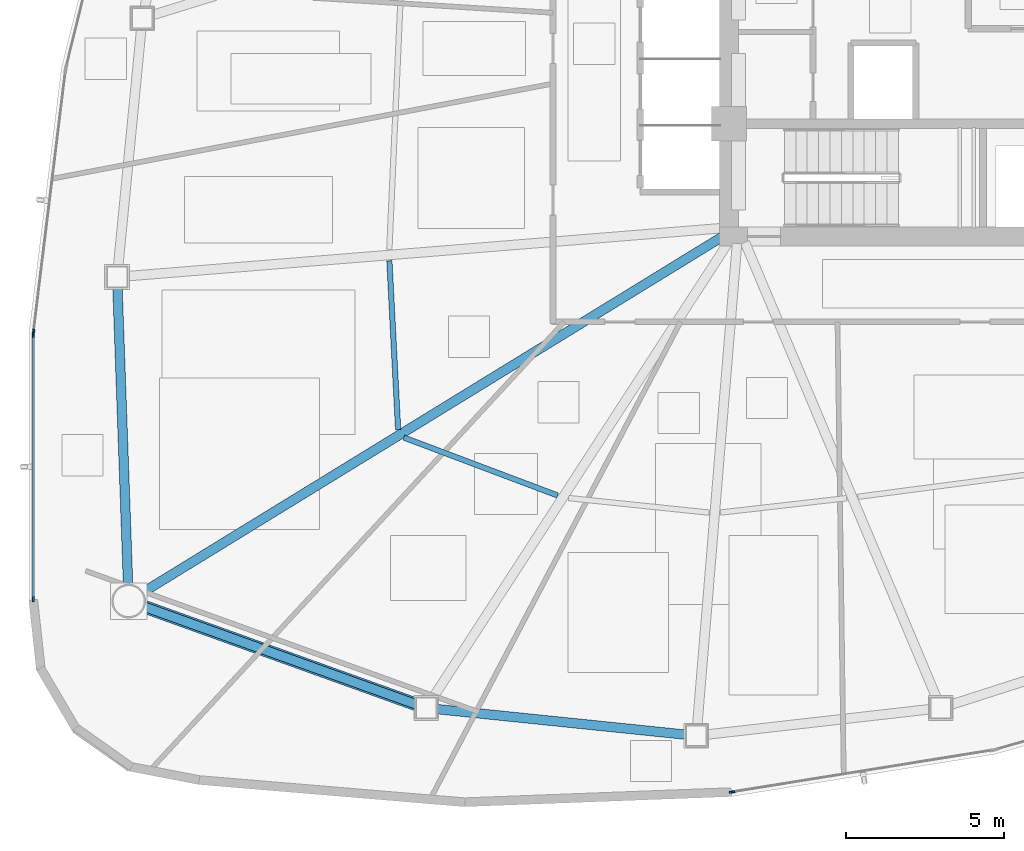
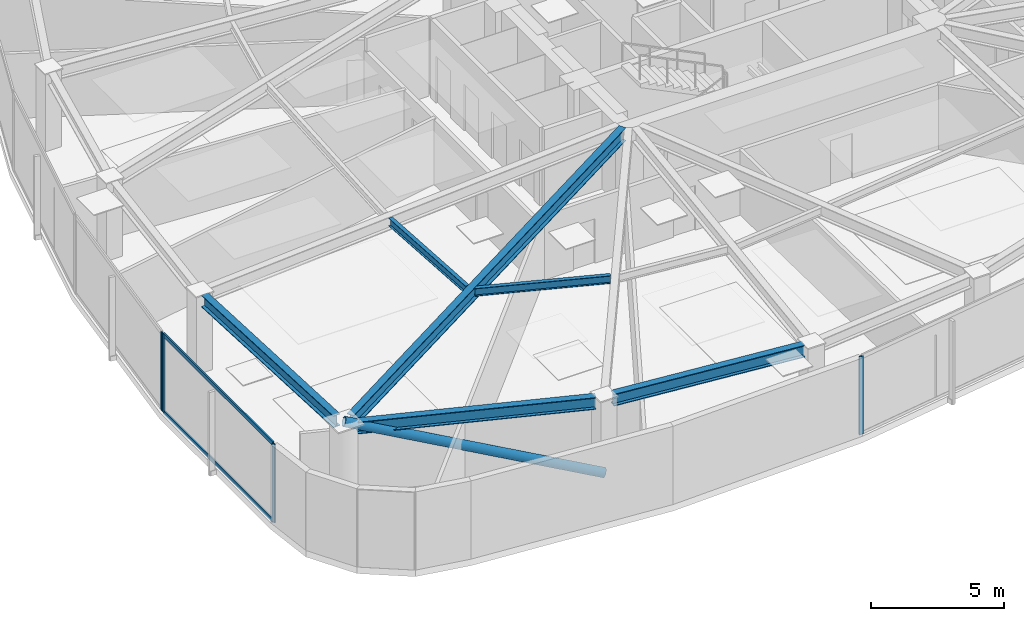
# One storey, part 2 of 17: 7 members, 6 beams, 3 elements without a shape of their own.
"""IFC4 building model written with IfcOpenShell, lengths in metres."""

from ifc_helpers import new_model, si_unit, direction, frame, origin, origin_2d, place, context, subcontext, project, spatial, hollow_rectangle, hollow_circle, i_section, extrude, source, transform, mapped, material, layer, layer_set, material_profile, profile_set, type_object, type_shapes, element, aggregate, save


model = new_model("IFC4")

# Units and contexts
model_context = context("Model", 3, precision=1e-05, world=origin(), true_north=direction((0.0, 1.0)))
body_context = subcontext(model_context, "Body", "Model", "MODEL_VIEW")
ifc_project = project(units=[si_unit("LENGTHUNIT", "METRE"), si_unit("AREAUNIT", "SQUARE_METRE"), si_unit("VOLUMEUNIT", "CUBIC_METRE"), si_unit("PLANEANGLEUNIT", "RADIAN"), si_unit("MASSUNIT", "GRAM", prefix="KILO")], contexts=[model_context])

# Site, building, storey
site_placement = place(None, origin())
site = spatial("IfcSite", under=ifc_project, at=site_placement, CompositionType="ELEMENT")
building_placement = place(site_placement, origin())
building = spatial("IfcBuilding", under=site, at=building_placement, Name="Tavelor Broadcast Tower", CompositionType="ELEMENT")
storey_placement = place(building_placement, frame((0.0, 0.0, 78.300048828125)))
storey = spatial("IfcBuildingStorey", under=building, at=storey_placement, Name="L18", CompositionType="ELEMENT", Elevation=78.300048828125)

# Beams
ifc_material_1 = material(Name="Steel S355", Category="steel")
ifc_material_profile_1 = material_profile(ifc_material_1, i_section(OverallWidth=0.169921875, OverallDepth=0.360107421875, WebThickness=0.008056640625, FlangeThickness=0.0126953125, at=origin_2d()), Name="IPE 360")
ifc_profile_set_1 = profile_set([ifc_material_profile_1], Name="Steel S355")
beam_type_1 = type_object("IfcBeamType", Name="Composite Floor Joist T2 IPE 360", PredefinedType="JOIST", material=ifc_profile_set_1)
beam_1_placement = place(storey_placement, frame((32.386474609375, 37.72900390625, 3.419921875), z_axis=(0.051611065527, -0.998667260861, 0.0), x_axis=(0.998667260861, 0.051611065527, 0.0)))
element("IfcBeam", 1, at=beam_1_placement, inside=storey, type_object=beam_type_1, Name="L18 Secondary Composite Floor Joist 06", PredefinedType="JOIST", context=body_context, shape_type="SweptSolid", body=[
    extrude(i_section(OverallWidth=0.169921875, OverallDepth=0.360107421875, WebThickness=0.008056640625, FlangeThickness=0.0126953125, at=origin_2d()), origin(), (0.0, 0.0, 1.0), 5.340576171875),
])
beam_2_placement = place(storey_placement, frame((32.8408203125, 32.15087890625, 3.419921875), z_axis=(0.935788002818, -0.352563205371, 0.0), x_axis=(0.352563205371, 0.935788002818, 0.0)))
element("IfcBeam", 2, at=beam_2_placement, inside=storey, type_object=beam_type_1, Name="L18 Secondary Composite Floor Joist 07", PredefinedType="JOIST", context=body_context, shape_type="SweptSolid", body=[
    extrude(i_section(OverallWidth=0.169921875, OverallDepth=0.360107421875, WebThickness=0.008056640625, FlangeThickness=0.0126953125, at=origin_2d()), origin(), (0.0, 0.0, 1.0), 5.18310546875),
])
ifc_material_profile_2 = material_profile(ifc_material_1, i_section(OverallWidth=0.300048828125, OverallDepth=0.550048828125, WebThickness=0.014892578125, FlangeThickness=0.029052734375, at=origin_2d()), Name="HEB 550")
ifc_profile_set_2 = profile_set([ifc_material_profile_2], Name="Steel S355")
beam_type_2 = type_object("IfcBeamType", Name="Perimeter Spandrel Beam T2 HEB 550", PredefinedType="SPANDREL", material=ifc_profile_set_2)
beam_3_placement = place(storey_placement, frame((23.806640625, 36.880615234375, 3.324951171875), z_axis=(0.035613586899, -0.999365635005, 0.0), x_axis=(0.999365635005, 0.035613586899, 0.0)))
element("IfcBeam", 3, at=beam_3_placement, inside=storey, type_object=beam_type_2, Name="L18 Framed-Tube Ring Spandrel 06", PredefinedType="SPANDREL", context=body_context, shape_type="SweptSolid", body=[
    extrude(i_section(OverallWidth=0.300048828125, OverallDepth=0.550048828125, WebThickness=0.014892578125, FlangeThickness=0.029052734375, at=origin_2d()), origin(), (0.0, 0.0, 1.0), 9.384765625),
])
beam_4_placement = place(storey_placement, frame((24.64111328125, 26.81640625, 3.324951171875), z_axis=(0.941105692238, -0.338112519789, 0.0), x_axis=(0.338112519789, 0.941105692238, 0.0)))
element("IfcBeam", 4, at=beam_4_placement, inside=storey, type_object=beam_type_2, Name="L18 Framed-Tube Ring Spandrel 07", PredefinedType="SPANDREL", context=body_context, shape_type="SweptSolid", body=[
    extrude(i_section(OverallWidth=0.300048828125, OverallDepth=0.550048828125, WebThickness=0.014892578125, FlangeThickness=0.029052734375, at=origin_2d()), origin(), (0.0, 0.0, 1.0), 9.13134765625),
])
beam_5_placement = place(storey_placement, frame((33.885009765625, 23.581298828125, 3.324951171875), z_axis=(0.994770407806, -0.102136358626, 0.0), x_axis=(0.102136358626, 0.994770407806, 0.0)))
element("IfcBeam", 5, at=beam_5_placement, inside=storey, type_object=beam_type_2, Name="L18 Framed-Tube Ring Spandrel 08", PredefinedType="SPANDREL", context=body_context, shape_type="SweptSolid", body=[
    extrude(i_section(OverallWidth=0.300048828125, OverallDepth=0.550048828125, WebThickness=0.014892578125, FlangeThickness=0.029052734375, at=origin_2d()), origin(), (0.0, 0.0, 1.0), 7.895263671875),
])

# Member
ifc_material_profile_3 = material_profile(ifc_material_1, hollow_circle(Radius=0.203125, WallThickness=0.02001953125, at=origin_2d()), Name="CHS 406.4x20")
ifc_profile_set_3 = profile_set([ifc_material_profile_3], Name="Steel S355")
member_type_1 = type_object("IfcMemberType", Name="Perimeter Tube Brace T2 CHS 406.4x20", PredefinedType="BRACE", material=ifc_profile_set_3)
member_1_placement = place(storey_placement, frame((33.55078125, 23.615478515625, 0.0), z_axis=(-0.885264543661, 0.31806283815, 0.339326861191), x_axis=(-0.338124247145, -0.941101478849, 0.0)))
element("IfcMember", 6, at=member_1_placement, inside=storey, type_object=member_type_1, Name="L18 Corner Tube Diagonal Brace 2", PredefinedType="BRACE", context=body_context, shape_type="SweptSolid", body=[
    extrude(hollow_circle(Radius=0.203125, WallThickness=0.02001953125, at=origin_2d()), origin(), (0.0, 0.0, 1.0), 10.60888671875),
])

# Beam
ifc_material_profile_4 = material_profile(ifc_material_1, i_section(OverallWidth=0.300048828125, OverallDepth=0.60009765625, WebThickness=0.015380859375, FlangeThickness=0.030029296875, at=origin_2d()), Name="HEB 600")
ifc_profile_set_4 = profile_set([ifc_material_profile_4], Name="Steel S355")
beam_type_3 = type_object("IfcBeamType", Name="Radial Floor Girder T2 HEB 600", PredefinedType="BEAM", material=ifc_profile_set_4)
beam_6_placement = place(storey_placement, frame((42.949951171875, 38.523681640625, 3.300048828125), z_axis=(-0.852254843795, -0.52312683092, 0.0), x_axis=(0.52312683092, -0.852254843795, 0.0)))
element("IfcBeam", 7, at=beam_6_placement, inside=storey, type_object=beam_type_3, Name="L18 Radial Primary Floor Girder 07", PredefinedType="BEAM", context=body_context, shape_type="SweptSolid", body=[
    extrude(i_section(OverallWidth=0.300048828125, OverallDepth=0.60009765625, WebThickness=0.015380859375, FlangeThickness=0.030029296875, at=origin_2d()), origin(), (0.0, 0.0, 1.0), 21.5361328125),
])

# Curtain wall, member
ifc_material_2 = material(Name="Architectural Anodized Aluminium", Category="aluminium")
ifc_layer = layer(ifc_material_2, 0.179931640625)
ifc_layer_set = layer_set([ifc_layer], Name="Architectural Anodized Aluminium")
curtain_wall_type = type_object("IfcCurtainWallType", Name="Tower Low-Zone Unitised Curtain Wall CW02", PredefinedType="NOTDEFINED", material=ifc_layer_set)
curtain_wall_1_placement = place(storey_placement, origin())
curtain_wall_1 = element("IfcCurtainWall", 8, at=curtain_wall_1_placement, inside=storey, type_object=curtain_wall_type, Name="L18 Curtain Wall CW02 Run 171", PredefinedType="NOTDEFINED")
ifc_material_profile_5 = material_profile(ifc_material_2, hollow_rectangle(XDim=0.06494140625, YDim=0.179931640625, WallThickness=0.02197265625, at=origin_2d()), Name="RHS 65x180x22")
ifc_profile_set_5 = profile_set([ifc_material_profile_5], Name="Architectural Anodized Aluminium")
member_type_2 = type_object("IfcMemberType", Name="CW02 Extruded Aluminium Mullion 65x180", PredefinedType="MULLION", material=ifc_profile_set_5)
shared_shape_1 = source(origin(), body_context, "Body", "SweptSolid", [
    extrude(hollow_rectangle(XDim=0.06494140625, YDim=0.179931640625, WallThickness=0.02197265625, at=origin_2d()), origin(), (0.0, 0.0, 1.0), 3.599853515625),
])
type_shapes(member_type_2, [shared_shape_1])
member_2_placement = place(storey_placement, frame((21.157958984375, 35.484619140625, 0.0), z_axis=(0.0, 0.0, 1.0), x_axis=(0.992601033639, -0.12142153029, 0.0)))
member_2 = element("IfcMember", 9, at=member_2_placement, type_object=member_type_2, Name="CW02 mullion 2", PredefinedType="MULLION", context=body_context, shape_type="MappedRepresentation", body=[
    mapped(shared_shape_1, transform((0.0, 0.0, 0.0), scale=1.0)),
])
aggregate(curtain_wall_1, [member_2])

# Curtain wall, members
curtain_wall_2_placement = place(storey_placement, origin())
curtain_wall_2 = element("IfcCurtainWall", 10, at=curtain_wall_2_placement, inside=storey, type_object=curtain_wall_type, Name="L18 Curtain Wall CW02 Run 172", PredefinedType="NOTDEFINED")
member_3_placement = place(storey_placement, frame((21.152099609375, 35.389892578125, 0.0), z_axis=(0.0, 0.0, 1.0), x_axis=(0.999999918098, -0.000404728142, 0.0)))
member_3 = element("IfcMember", 11, at=member_3_placement, type_object=member_type_2, Name="CW02 mullion 1", PredefinedType="MULLION", context=body_context, shape_type="MappedRepresentation", body=[
    mapped(shared_shape_1, transform((0.0, 0.0, 0.0), scale=1.0)),
])
member_4_placement = place(storey_placement, frame((21.14892578125, 27.05419921875, 0.0), z_axis=(0.0, 0.0, 1.0), x_axis=(0.999999918098, -0.000404728142, 0.0)))
member_4 = element("IfcMember", 12, at=member_4_placement, type_object=member_type_2, Name="CW02 mullion 2", PredefinedType="MULLION", context=body_context, shape_type="MappedRepresentation", body=[
    mapped(shared_shape_1, transform((0.0, 0.0, 0.0), scale=1.0)),
])

# Curtain wall, member
curtain_wall_3_placement = place(storey_placement, origin())
curtain_wall_3 = element("IfcCurtainWall", 13, at=curtain_wall_3_placement, inside=storey, type_object=curtain_wall_type, Name="L18 Curtain Wall CW02 Run 173", PredefinedType="NOTDEFINED")
member_5_placement = place(storey_placement, frame((43.198974609375, 20.96533203125, 0.0), z_axis=(0.0, 0.0, 1.0), x_axis=(-0.15858898162, 0.987344689006, 0.0)))
member_5 = element("IfcMember", 14, at=member_5_placement, type_object=member_type_2, Name="CW02 mullion 1", PredefinedType="MULLION", context=body_context, shape_type="MappedRepresentation", body=[
    mapped(shared_shape_1, transform((0.0, 0.0, 0.0), scale=1.0)),
])
aggregate(curtain_wall_3, [member_5])

# Member
ifc_material_profile_6 = material_profile(ifc_material_2, hollow_rectangle(XDim=0.06494140625, YDim=0.179931640625, WallThickness=0.02197265625, at=origin_2d()), Name="RHS 65x180x22")
ifc_profile_set_6 = profile_set([ifc_material_profile_6], Name="Architectural Anodized Aluminium")
member_type_3 = type_object("IfcMemberType", Name="CW02 Extruded Aluminium Transom 65x180", PredefinedType="USERDEFINED", material=ifc_profile_set_6)
shared_shape_2 = source(origin(), body_context, "Body", "SweptSolid", [
    extrude(hollow_rectangle(XDim=0.06494140625, YDim=0.179931640625, WallThickness=0.02197265625, at=origin_2d()), origin(), (0.0, 0.0, 1.0), 8.270751953125),
])
type_shapes(member_type_3, [shared_shape_2])
member_6_placement = place(storey_placement, frame((21.152099609375, 35.357421875, 0.032470703125), z_axis=(-0.000383741153, -0.999999926371, 0.0), x_axis=(0.999999926371, -0.000383741153, 0.0)))
member_6 = element("IfcMember", 15, at=member_6_placement, type_object=member_type_3, Name="CW02 transom 1.1", ObjectType="TRANSOM", PredefinedType="USERDEFINED", context=body_context, shape_type="MappedRepresentation", body=[
    mapped(shared_shape_2, transform((0.0, 0.0, 0.0), scale=1.0)),
])

member_7_placement = place(storey_placement, frame((21.152099609375, 35.357421875, 3.5673828125), z_axis=(-0.000383741153, -0.999999926371, 0.0), x_axis=(0.999999926371, -0.000383741153, 0.0)))
member_7 = element("IfcMember", 16, at=member_7_placement, type_object=member_type_3, Name="CW02 transom 1.2", ObjectType="TRANSOM", PredefinedType="USERDEFINED", context=body_context, shape_type="MappedRepresentation", body=[
    mapped(shared_shape_2, transform((0.0, 0.0, 0.0), scale=1.0)),
])

aggregate(curtain_wall_2, [member_3, member_4, member_6, member_7])

save(model, "model.ifc")
